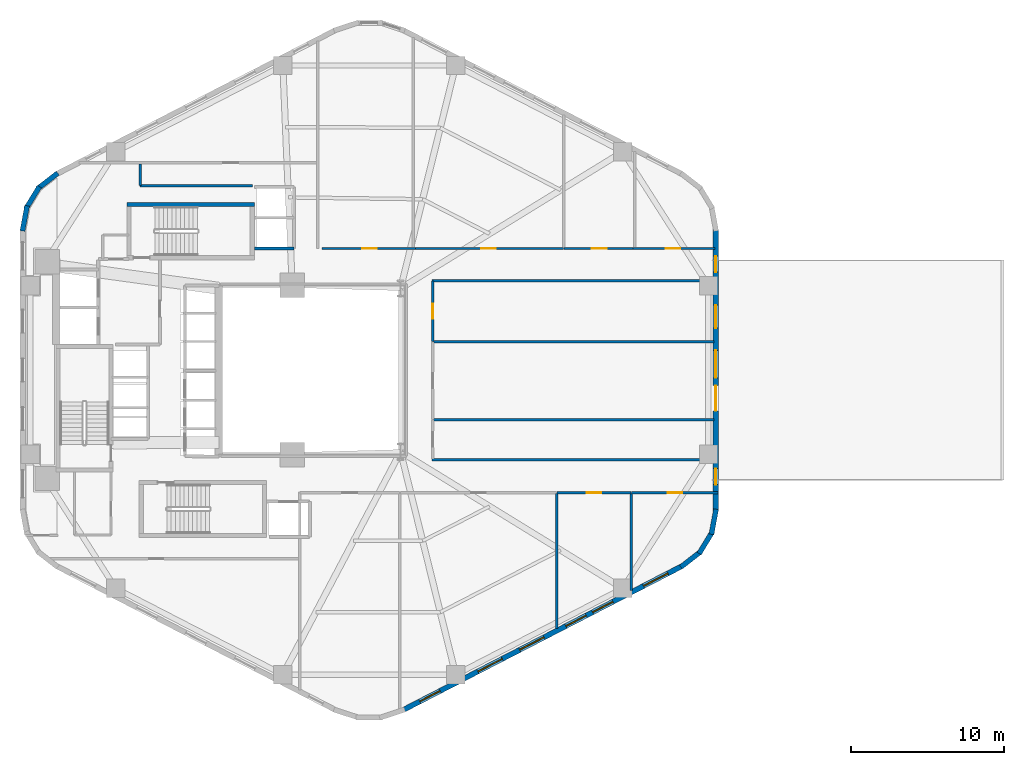
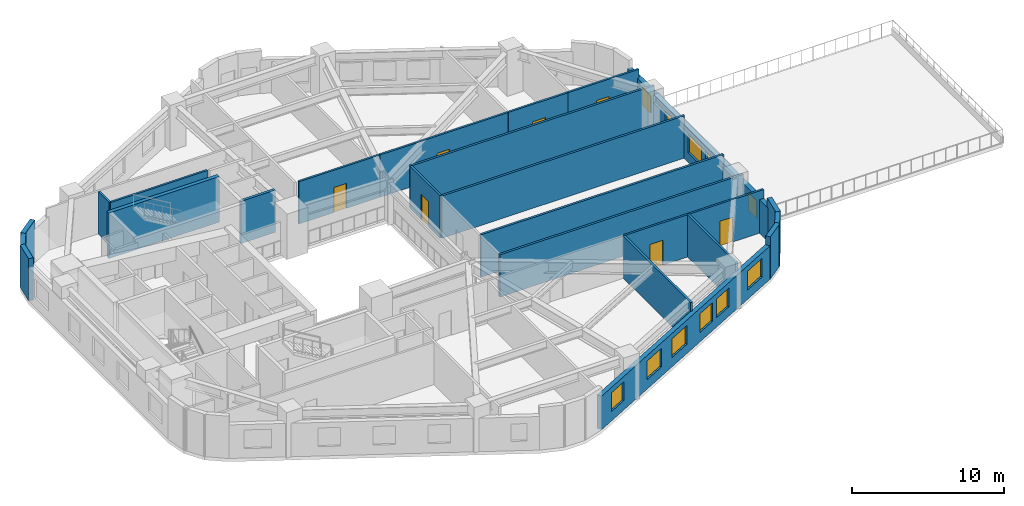
# One storey, part 4 of 8: 25 walls, 10 windows, 8 doors, 18 openings.
"""IFC4 building model written with IfcOpenShell, lengths in metres."""

from ifc_helpers import new_model, si_unit, direction, frame, frame_2d, origin, place, context, subcontext, project, spatial, rectangle, extrude, material, layer, layer_set, type_object, element, fill, save


model = new_model("IFC4")

# Units and contexts
model_context = context("Model", 3, precision=1e-05, world=origin(), true_north=direction((0.0, 1.0)))
body_context = subcontext(model_context, "Body", "Model", "MODEL_VIEW")
ifc_project = project(units=[si_unit("LENGTHUNIT", "METRE"), si_unit("AREAUNIT", "SQUARE_METRE"), si_unit("VOLUMEUNIT", "CUBIC_METRE"), si_unit("PLANEANGLEUNIT", "RADIAN"), si_unit("MASSUNIT", "GRAM", prefix="KILO"), si_unit("THERMODYNAMICTEMPERATUREUNIT", "KELVIN"), si_unit("POWERUNIT", "WATT")], contexts=[model_context])

# Site, building, storey
site_placement = place(None, origin())
site = spatial("IfcSite", under=ifc_project, at=site_placement, CompositionType="ELEMENT")
building_placement = place(site_placement, origin())
building = spatial("IfcBuilding", under=site, at=building_placement, Name="Skarre Station Tower", CompositionType="ELEMENT")
storey_placement = place(building_placement, frame((0.0, 0.0, 63.5)))
storey = spatial("IfcBuildingStorey", under=building, at=storey_placement, Name="L16", CompositionType="ELEMENT", Elevation=63.5)

# Wall, opening, door
ifc_material_1 = material(Name="Acoustic Steel-Stud Gypsum Partition", Category="steel")
ifc_layer_1 = layer(ifc_material_1, 0.14990234375, Name="Acoustic Steel-Stud Gypsum Partition")
ifc_layer_set_1 = layer_set([ifc_layer_1], Name="Acoustic Steel-Stud Gypsum Partition")
wall_type_1 = type_object("IfcWallType", Name="Fire-Rated Corridor Acoustic Partition 150", PredefinedType="PARTITIONING", material=ifc_layer_set_1)
wall_1_placement = place(storey_placement, frame((40.412109375, 31.9599609375, 0.0), z_axis=(0.0, 0.0, 1.0), x_axis=(-1.0, 0.0, 0.0)))
wall_1 = element("IfcWall", 1, at=wall_1_placement, inside=storey, type_object=wall_type_1, Name="L16 Interior Partition WL-PT-L16-NW1-CW", PredefinedType="PARTITIONING", context=body_context, shape_type="SweptSolid", body=[
    extrude(rectangle(XDim=6.1220703125, YDim=0.14990234375, at=frame_2d((3.06103515625, 0.0))), origin(), (0.0, 0.0, 1.0), 3.389892578125),
])
opening_1_placement = place(wall_1_placement, frame((2.52392578125, 0.0, 0.0)))
opening_1 = element("IfcOpeningElement", 2, at=opening_1_placement, cuts=wall_1, Name="Opening DR-FD60", PredefinedType="OPENING", context=body_context, shape_type="SweptSolid", body=[
    extrude(rectangle(XDim=0.9599609375, YDim=2.0, at=frame_2d((0.47998046875, 1.0))), frame((0.0, 0.0849609375, 0.0), z_axis=(0.0, -1.0, 0.0), x_axis=(1.0, 0.0, 0.0)), (0.0, 0.0, 1.0), 0.169921875),
])
ifc_material_2 = material(Name="Nordic White-Oak Veneer Solid-Core Fire Leaf", Category="wood")
door_type_1 = type_object("IfcDoorType", Name="Corridor Suite Entry Fire Door FD60 960x2150", OperationType="SINGLE_SWING_LEFT", PredefinedType="DOOR", material=ifc_material_2)
door_1_placement = place(opening_1_placement, origin())
door_1 = element("IfcDoor", 3, at=door_1_placement, inside=storey, type_object=door_type_1, Name="L16 NW1 Entry Door", OperationType="SINGLE_SWING_LEFT", OverallHeight=2.0, OverallWidth=0.9599609375, PredefinedType="DOOR", context=body_context, shape_type="SweptSolid", body=[
    extrude(rectangle(XDim=0.9599609375, YDim=2.0, at=frame_2d((0.47998046875, 1.0))), frame((0.0, 0.02490234375, 0.0), z_axis=(0.0, -1.0, 0.0), x_axis=(1.0, 0.0, 0.0)), (0.0, 0.0, 1.0), 0.050048828125),
])
fill(opening_1, door_1)

wall_2_placement = place(storey_placement, frame((50.111083984375, 31.9599609375, 0.0), z_axis=(0.0, 0.0, 1.0), x_axis=(-1.0, 0.0, 0.0)))
wall_2 = element("IfcWall", 4, at=wall_2_placement, inside=storey, type_object=wall_type_1, Name="L16 Interior Partition WL-PT-L16-NW2-CW", PredefinedType="PARTITIONING", context=body_context, shape_type="SweptSolid", body=[
    extrude(rectangle(XDim=9.68896484375, YDim=0.14990234375, at=frame_2d((4.844482421875, 0.0))), origin(), (0.0, 0.0, 1.0), 3.389892578125),
])
opening_2_placement = place(wall_2_placement, frame((4.422119140625, 0.0, 0.0)))
opening_2 = element("IfcOpeningElement", 5, at=opening_2_placement, cuts=wall_2, Name="Opening DR-FD60", PredefinedType="OPENING", context=body_context, shape_type="SweptSolid", body=[
    extrude(rectangle(XDim=0.9599609375, YDim=2.0, at=frame_2d((0.47998046875, 1.0))), frame((0.0, 0.0849609375, 0.0), z_axis=(0.0, -1.0, 0.0), x_axis=(1.0, 0.0, 0.0)), (0.0, 0.0, 1.0), 0.169921875),
])
door_2_placement = place(opening_2_placement, origin())
door_2 = element("IfcDoor", 6, at=door_2_placement, inside=storey, type_object=door_type_1, Name="L16 NW2 Entry Door", OperationType="SINGLE_SWING_LEFT", OverallHeight=2.0, OverallWidth=0.9599609375, PredefinedType="DOOR", context=body_context, shape_type="SweptSolid", body=[
    extrude(rectangle(XDim=0.9599609375, YDim=2.0, at=frame_2d((0.47998046875, 1.0))), frame((0.0, 0.02490234375, 0.0), z_axis=(0.0, -1.0, 0.0), x_axis=(1.0, 0.0, 0.0)), (0.0, 0.0, 1.0), 0.050048828125),
])
fill(opening_2, door_2)

wall_3_placement = place(storey_placement, frame((54.656005859375, 31.9599609375, 0.0), z_axis=(0.0, 0.0, 1.0), x_axis=(-1.0, 0.0, 0.0)))
wall_3 = element("IfcWall", 7, at=wall_3_placement, inside=storey, type_object=wall_type_1, Name="L16 Interior Partition WL-PT-L16-NW3-CW", PredefinedType="PARTITIONING", context=body_context, shape_type="SweptSolid", body=[
    extrude(rectangle(XDim=4.512939453125, YDim=0.14990234375, at=frame_2d((2.25634765625, 0.0))), origin(), (0.0, 0.0, 1.0), 3.389892578125),
])
opening_3_placement = place(wall_3_placement, frame((1.719970703125, 0.0, 0.0)))
opening_3 = element("IfcOpeningElement", 8, at=opening_3_placement, cuts=wall_3, Name="Opening DR-FD60", PredefinedType="OPENING", context=body_context, shape_type="SweptSolid", body=[
    extrude(rectangle(XDim=0.9599609375, YDim=2.0, at=frame_2d((0.47998046875, 1.0))), frame((0.0, 0.0849609375, 0.0), z_axis=(0.0, -1.0, 0.0), x_axis=(1.0, 0.0, 0.0)), (0.0, 0.0, 1.0), 0.169921875),
])
door_3_placement = place(opening_3_placement, origin())
door_3 = element("IfcDoor", 9, at=door_3_placement, inside=storey, type_object=door_type_1, Name="L16 NW3 Entry Door", OperationType="SINGLE_SWING_LEFT", OverallHeight=2.0, OverallWidth=0.9599609375, PredefinedType="DOOR", context=body_context, shape_type="SweptSolid", body=[
    extrude(rectangle(XDim=0.9599609375, YDim=2.0, at=frame_2d((0.47998046875, 1.0))), frame((0.0, 0.02490234375, 0.0), z_axis=(0.0, -1.0, 0.0), x_axis=(1.0, 0.0, 0.0)), (0.0, 0.0, 1.0), 0.050048828125),
])
fill(opening_3, door_3)

wall_4_placement = place(storey_placement, frame((60.031982421875, 31.9599609375, 0.0), z_axis=(0.0, 0.0, 1.0), x_axis=(-1.0, 0.0, 0.0)))
wall_4 = element("IfcWall", 10, at=wall_4_placement, inside=storey, type_object=wall_type_1, Name="L16 Interior Partition WL-PT-L16-NW4-CW", PredefinedType="PARTITIONING", context=body_context, shape_type="SweptSolid", body=[
    extrude(rectangle(XDim=5.365966796875, YDim=0.14990234375, at=frame_2d((2.68310546875, 0.0))), origin(), (0.0, 0.0, 1.0), 3.389892578125),
])
opening_4_placement = place(wall_4_placement, frame((2.260009765625, 0.0, 0.0)))
opening_4 = element("IfcOpeningElement", 11, at=opening_4_placement, cuts=wall_4, Name="Opening DR-FD60", PredefinedType="OPENING", context=body_context, shape_type="SweptSolid", body=[
    extrude(rectangle(XDim=0.9599609375, YDim=2.0, at=frame_2d((0.47998046875, 1.0))), frame((0.0, 0.0849609375, 0.0), z_axis=(0.0, -1.0, 0.0), x_axis=(1.0, 0.0, 0.0)), (0.0, 0.0, 1.0), 0.169921875),
])
door_4_placement = place(opening_4_placement, origin())
door_4 = element("IfcDoor", 12, at=door_4_placement, inside=storey, type_object=door_type_1, Name="L16 NW4 Entry Door", OperationType="SINGLE_SWING_LEFT", OverallHeight=2.0, OverallWidth=0.9599609375, PredefinedType="DOOR", context=body_context, shape_type="SweptSolid", body=[
    extrude(rectangle(XDim=0.9599609375, YDim=2.0, at=frame_2d((0.47998046875, 1.0))), frame((0.0, 0.02490234375, 0.0), z_axis=(0.0, -1.0, 0.0), x_axis=(1.0, 0.0, 0.0)), (0.0, 0.0, 1.0), 0.050048828125),
])
fill(opening_4, door_4)

wall_5_placement = place(storey_placement, frame((41.56005859375, 25.8798828125, 0.0), z_axis=(0.0, 0.0, 1.0), x_axis=(0.0, 1.0, 0.0)))
wall_5 = element("IfcWall", 13, at=wall_5_placement, inside=storey, type_object=wall_type_1, Name="L16 Interior Partition WL-PT-L16-EW3-CW", PredefinedType="PARTITIONING", context=body_context, shape_type="SweptSolid", body=[
    extrude(rectangle(XDim=3.940185546875, YDim=0.14990234375, at=frame_2d((1.97021484375, 0.0))), origin(), (0.0, 0.0, 1.0), 3.389892578125),
])
opening_5_placement = place(wall_5_placement, frame((1.489990234375, 0.0, 0.0)))
opening_5 = element("IfcOpeningElement", 14, at=opening_5_placement, cuts=wall_5, Name="Opening DR-FD60", PredefinedType="OPENING", context=body_context, shape_type="SweptSolid", body=[
    extrude(rectangle(XDim=0.9599609375, YDim=2.0, at=frame_2d((0.47998046875, 1.0))), frame((0.0, 0.0849609375, 0.0), z_axis=(0.0, -1.0, 0.0), x_axis=(1.0, 0.0, 0.0)), (0.0, 0.0, 1.0), 0.169921875),
])
door_5_placement = place(opening_5_placement, origin())
door_5 = element("IfcDoor", 15, at=door_5_placement, inside=storey, type_object=door_type_1, Name="L16 EW3 Entry Door", OperationType="SINGLE_SWING_LEFT", OverallHeight=2.0, OverallWidth=0.9599609375, PredefinedType="DOOR", context=body_context, shape_type="SweptSolid", body=[
    extrude(rectangle(XDim=0.9599609375, YDim=2.0, at=frame_2d((0.47998046875, 1.0))), frame((0.0, 0.02490234375, 0.0), z_axis=(0.0, -1.0, 0.0), x_axis=(1.0, 0.0, 0.0)), (0.0, 0.0, 1.0), 0.050048828125),
])
fill(opening_5, door_5)

wall_6_placement = place(storey_placement, frame((49.705078125, 15.9599609375, 0.0), z_axis=(0.0, 0.0, 1.0), x_axis=(1.0, 0.0, 0.0)))
wall_6 = element("IfcWall", 16, at=wall_6_placement, inside=storey, type_object=wall_type_1, Name="L16 Interior Partition WL-PT-L16-SW3-CW", PredefinedType="PARTITIONING", context=body_context, shape_type="SweptSolid", body=[
    extrude(rectangle(XDim=4.830810546875, YDim=0.14990234375, at=frame_2d((2.41552734375, 0.0))), origin(), (0.0, 0.0, 1.0), 3.389892578125),
])
opening_6_placement = place(wall_6_placement, frame((1.93603515625, 0.0, 0.0)))
opening_6 = element("IfcOpeningElement", 17, at=opening_6_placement, cuts=wall_6, Name="Opening DR-FD60", PredefinedType="OPENING", context=body_context, shape_type="SweptSolid", body=[
    extrude(rectangle(XDim=0.9599609375, YDim=2.0, at=frame_2d((0.47998046875, 1.0))), frame((0.0, 0.0849609375, 0.0), z_axis=(0.0, -1.0, 0.0), x_axis=(1.0, 0.0, 0.0)), (0.0, 0.0, 1.0), 0.169921875),
])
door_6_placement = place(opening_6_placement, origin())
door_6 = element("IfcDoor", 18, at=door_6_placement, inside=storey, type_object=door_type_1, Name="L16 SW3 Entry Door", OperationType="SINGLE_SWING_LEFT", OverallHeight=2.0, OverallWidth=0.9599609375, PredefinedType="DOOR", context=body_context, shape_type="SweptSolid", body=[
    extrude(rectangle(XDim=0.9599609375, YDim=2.0, at=frame_2d((0.47998046875, 1.0))), frame((0.0, 0.02490234375, 0.0), z_axis=(0.0, -1.0, 0.0), x_axis=(1.0, 0.0, 0.0)), (0.0, 0.0, 1.0), 0.050048828125),
])
fill(opening_6, door_6)

wall_7_placement = place(storey_placement, frame((54.572021484375, 15.9599609375, 0.0), z_axis=(0.0, 0.0, 1.0), x_axis=(1.0, 0.0, 0.0)))
wall_7 = element("IfcWall", 19, at=wall_7_placement, inside=storey, type_object=wall_type_1, Name="L16 Interior Partition WL-PT-L16-SW4-CW", PredefinedType="PARTITIONING", context=body_context, shape_type="SweptSolid", body=[
    extrude(rectangle(XDim=5.680908203125, YDim=0.14990234375, at=frame_2d((2.84033203125, 0.0))), origin(), (0.0, 0.0, 1.0), 3.389892578125),
])
opening_7_placement = place(wall_7_placement, frame((2.3740234375, 0.0, 0.0)))
opening_7 = element("IfcOpeningElement", 20, at=opening_7_placement, cuts=wall_7, Name="Opening DR-FD60", PredefinedType="OPENING", context=body_context, shape_type="SweptSolid", body=[
    extrude(rectangle(XDim=0.9599609375, YDim=2.0, at=frame_2d((0.47998046875, 1.0))), frame((0.0, 0.0849609375, 0.0), z_axis=(0.0, -1.0, 0.0), x_axis=(1.0, 0.0, 0.0)), (0.0, 0.0, 1.0), 0.169921875),
])
door_7_placement = place(opening_7_placement, origin())
door_7 = element("IfcDoor", 21, at=door_7_placement, inside=storey, type_object=door_type_1, Name="L16 SW4 Entry Door", OperationType="SINGLE_SWING_LEFT", OverallHeight=2.0, OverallWidth=0.9599609375, PredefinedType="DOOR", context=body_context, shape_type="SweptSolid", body=[
    extrude(rectangle(XDim=0.9599609375, YDim=2.0, at=frame_2d((0.47998046875, 1.0))), frame((0.0, 0.02490234375, 0.0), z_axis=(0.0, -1.0, 0.0), x_axis=(1.0, 0.0, 0.0)), (0.0, 0.0, 1.0), 0.050048828125),
])
fill(opening_7, door_7)

# Walls
wall_8_placement = place(storey_placement, frame((29.7529296875, 36.080078125, 0.0), z_axis=(0.0, 0.0, 1.0), x_axis=(-1.0, 0.0, 0.0)))
element("IfcWall", 22, at=wall_8_placement, inside=storey, type_object=wall_type_1, Name="L16 Interior Partition WL-PT-L16-CSEAL-1", PredefinedType="PARTITIONING", context=body_context, shape_type="SweptSolid", body=[
    extrude(rectangle(XDim=7.35302734375, YDim=0.14990234375, at=frame_2d((3.676513671875, 0.0))), origin(), (0.0, 0.0, 1.0), 3.389892578125),
])
wall_9_placement = place(storey_placement, frame((22.39990234375, 36.080078125, 0.0), z_axis=(0.0, 0.0, 1.0), x_axis=(0.0, 1.0, 0.0)))
element("IfcWall", 23, at=wall_9_placement, inside=storey, type_object=wall_type_1, Name="L16 Interior Partition WL-PT-L16-CSEAL-2", PredefinedType="PARTITIONING", context=body_context, shape_type="SweptSolid", body=[
    extrude(rectangle(XDim=1.429931640625, YDim=0.14990234375, at=frame_2d((0.71484375, 0.0))), origin(), (0.0, 0.0, 1.0), 3.389892578125),
])

# Wall, openings, windows
ifc_material_3 = material(Name="Precast concrete C45/55", Category="concrete")
ifc_layer_2 = layer(ifc_material_3, 0.340087890625, Name="Precast concrete C45/55")
ifc_layer_set_2 = layer_set([ifc_layer_2], Name="Precast concrete C45/55")
wall_type_2 = type_object("IfcWallType", Name="Nordic Honed Precast Facet Wall 340", PredefinedType="STANDARD", material=ifc_layer_set_2)
wall_10_placement = place(storey_placement, frame((57.8759765625, 11.158935546875, 0.0), z_axis=(0.0, 0.0, 1.0), x_axis=(-0.888634413993, -0.458616264721, 0.0)))
wall_10 = element("IfcWall", 24, at=wall_10_placement, inside=storey, type_object=wall_type_2, Name="L16 Facet 4 Nordic Precast Masonry Wall", PredefinedType="STANDARD", context=body_context, shape_type="SweptSolid", body=[
    extrude(rectangle(XDim=20.53125, YDim=0.340087890625, at=frame_2d((10.265625, 0.0))), origin(), (0.0, 0.0, 1.0), 2.68408203125),
])
opening_8_placement = place(wall_10_placement, frame((1.031982421875, 0.0, 0.75)))
opening_8 = element("IfcOpeningElement", 25, at=opening_8_placement, cuts=wall_10, Name="Opening WN-Z1A", PredefinedType="OPENING", context=body_context, shape_type="SweptSolid", body=[
    extrude(rectangle(XDim=1.800048828125, YDim=1.5, at=frame_2d((0.89990234375, 0.75))), frame((0.0, 0.179931640625, 0.0), z_axis=(0.0, -1.0, 0.0), x_axis=(1.0, 0.0, 0.0)), (0.0, 0.0, 1.0), 0.360107421875),
])
opening_9_placement = place(wall_10_placement, frame((5.08203125, 0.0, 0.75)))
opening_9 = element("IfcOpeningElement", 26, at=opening_9_placement, cuts=wall_10, Name="Opening WN-Z1B", PredefinedType="OPENING", context=body_context, shape_type="SweptSolid", body=[
    extrude(rectangle(XDim=1.5, YDim=1.5, at=frame_2d((0.75, 0.75))), frame((0.0, 0.179931640625, 0.0), z_axis=(0.0, -1.0, 0.0), x_axis=(1.0, 0.0, 0.0)), (0.0, 0.0, 1.0), 0.360107421875),
])
opening_10_placement = place(wall_10_placement, frame((7.054931640625, 0.0, 0.75)))
opening_10 = element("IfcOpeningElement", 27, at=opening_10_placement, cuts=wall_10, Name="Opening WN-Z1B", PredefinedType="OPENING", context=body_context, shape_type="SweptSolid", body=[
    extrude(rectangle(XDim=1.5, YDim=1.5, at=frame_2d((0.75, 0.75))), frame((0.0, 0.179931640625, 0.0), z_axis=(0.0, -1.0, 0.0), x_axis=(1.0, 0.0, 0.0)), (0.0, 0.0, 1.0), 0.360107421875),
])
opening_11_placement = place(wall_10_placement, frame((10.157958984375, 0.0, 0.75)))
opening_11 = element("IfcOpeningElement", 28, at=opening_11_placement, cuts=wall_10, Name="Opening WN-Z1A", PredefinedType="OPENING", context=body_context, shape_type="SweptSolid", body=[
    extrude(rectangle(XDim=1.800048828125, YDim=1.5, at=frame_2d((0.89990234375, 0.75))), frame((0.0, 0.179931640625, 0.0), z_axis=(0.0, -1.0, 0.0), x_axis=(1.0, 0.0, 0.0)), (0.0, 0.0, 1.0), 0.360107421875),
])
opening_12_placement = place(wall_10_placement, frame((13.242919921875, 0.0, 0.75)))
opening_12 = element("IfcOpeningElement", 29, at=opening_12_placement, cuts=wall_10, Name="Opening WN-Z1A", PredefinedType="OPENING", context=body_context, shape_type="SweptSolid", body=[
    extrude(rectangle(XDim=1.800048828125, YDim=1.5, at=frame_2d((0.89990234375, 0.75))), frame((0.0, 0.179931640625, 0.0), z_axis=(0.0, -1.0, 0.0), x_axis=(1.0, 0.0, 0.0)), (0.0, 0.0, 1.0), 0.360107421875),
])
opening_13_placement = place(wall_10_placement, frame((17.822998046875, 0.0, 0.75)))
opening_13 = element("IfcOpeningElement", 30, at=opening_13_placement, cuts=wall_10, Name="Opening WN-Z1B", PredefinedType="OPENING", context=body_context, shape_type="SweptSolid", body=[
    extrude(rectangle(XDim=1.5, YDim=1.5, at=frame_2d((0.75, 0.75))), frame((0.0, 0.179931640625, 0.0), z_axis=(0.0, -1.0, 0.0), x_axis=(1.0, 0.0, 0.0)), (0.0, 0.0, 1.0), 0.360107421875),
])
ifc_material_4 = material(Name="Low-Iron Triple Glazing with Bronze Anodized Frame", Category="glass")
window_type_1 = type_object("IfcWindowType", Name="Nordic Punched Triple-Glazed Window 1500x1500", PartitioningType="SINGLE_PANEL", PredefinedType="WINDOW", material=ifc_material_4)
window_1_placement = place(opening_9_placement, origin())
window_1 = element("IfcWindow", 31, at=window_1_placement, inside=storey, type_object=window_type_1, Name="L16 Facade Window WL-FAC-L16-F4-2", OverallHeight=1.5, OverallWidth=1.5, PartitioningType="SINGLE_PANEL", PredefinedType="WINDOW", context=body_context, shape_type="SweptSolid", body=[
    extrude(rectangle(XDim=1.5, YDim=1.5, at=frame_2d((0.75, 0.75))), frame((0.0, 0.030029296875, 0.0), z_axis=(0.0, -1.0, 0.0), x_axis=(1.0, 0.0, 0.0)), (0.0, 0.0, 1.0), 0.06005859375),
])
fill(opening_9, window_1)
window_2_placement = place(opening_10_placement, origin())
window_2 = element("IfcWindow", 32, at=window_2_placement, inside=storey, type_object=window_type_1, Name="L16 Facade Window WL-FAC-L16-F4-3", OverallHeight=1.5, OverallWidth=1.5, PartitioningType="SINGLE_PANEL", PredefinedType="WINDOW", context=body_context, shape_type="SweptSolid", body=[
    extrude(rectangle(XDim=1.5, YDim=1.5, at=frame_2d((0.75, 0.75))), frame((0.0, 0.030029296875, 0.0), z_axis=(0.0, -1.0, 0.0), x_axis=(1.0, 0.0, 0.0)), (0.0, 0.0, 1.0), 0.06005859375),
])
fill(opening_10, window_2)
window_3_placement = place(opening_13_placement, origin())
window_3 = element("IfcWindow", 33, at=window_3_placement, inside=storey, type_object=window_type_1, Name="L16 Facade Window WL-FAC-L16-F4-6", OverallHeight=1.5, OverallWidth=1.5, PartitioningType="SINGLE_PANEL", PredefinedType="WINDOW", context=body_context, shape_type="SweptSolid", body=[
    extrude(rectangle(XDim=1.5, YDim=1.5, at=frame_2d((0.75, 0.75))), frame((0.0, 0.030029296875, 0.0), z_axis=(0.0, -1.0, 0.0), x_axis=(1.0, 0.0, 0.0)), (0.0, 0.0, 1.0), 0.06005859375),
])
fill(opening_13, window_3)
window_type_2 = type_object("IfcWindowType", Name="Nordic Punched Triple-Glazed Window 1800x1500", PartitioningType="SINGLE_PANEL", PredefinedType="WINDOW", material=ifc_material_4)
window_4_placement = place(opening_8_placement, origin())
window_4 = element("IfcWindow", 34, at=window_4_placement, inside=storey, type_object=window_type_2, Name="L16 Facade Window WL-FAC-L16-F4-1", OverallHeight=1.5, OverallWidth=1.800048828125, PartitioningType="SINGLE_PANEL", PredefinedType="WINDOW", context=body_context, shape_type="SweptSolid", body=[
    extrude(rectangle(XDim=1.800048828125, YDim=1.5, at=frame_2d((0.89990234375, 0.75))), frame((0.0, 0.030029296875, 0.0), z_axis=(0.0, -1.0, 0.0), x_axis=(1.0, 0.0, 0.0)), (0.0, 0.0, 1.0), 0.06005859375),
])
fill(opening_8, window_4)
window_5_placement = place(opening_11_placement, origin())
window_5 = element("IfcWindow", 35, at=window_5_placement, inside=storey, type_object=window_type_2, Name="L16 Facade Window WL-FAC-L16-F4-4", OverallHeight=1.5, OverallWidth=1.800048828125, PartitioningType="SINGLE_PANEL", PredefinedType="WINDOW", context=body_context, shape_type="SweptSolid", body=[
    extrude(rectangle(XDim=1.800048828125, YDim=1.5, at=frame_2d((0.89990234375, 0.75))), frame((0.0, 0.030029296875, 0.0), z_axis=(0.0, -1.0, 0.0), x_axis=(1.0, 0.0, 0.0)), (0.0, 0.0, 1.0), 0.06005859375),
])
fill(opening_11, window_5)
window_6_placement = place(opening_12_placement, origin())
window_6 = element("IfcWindow", 36, at=window_6_placement, inside=storey, type_object=window_type_2, Name="L16 Facade Window WL-FAC-L16-F4-5", OverallHeight=1.5, OverallWidth=1.800048828125, PartitioningType="SINGLE_PANEL", PredefinedType="WINDOW", context=body_context, shape_type="SweptSolid", body=[
    extrude(rectangle(XDim=1.800048828125, YDim=1.5, at=frame_2d((0.89990234375, 0.75))), frame((0.0, 0.030029296875, 0.0), z_axis=(0.0, -1.0, 0.0), x_axis=(1.0, 0.0, 0.0)), (0.0, 0.0, 1.0), 0.06005859375),
])
fill(opening_12, window_6)

# Wall, openings, windows, door
wall_11_placement = place(storey_placement, frame((60.093017578125, 33.201904296875, 0.0), z_axis=(0.0, 0.0, 1.0), x_axis=(0.0, -1.0, 0.0)))
wall_11 = element("IfcWall", 37, at=wall_11_placement, inside=storey, type_object=wall_type_2, Name="L16 Facet 5 Nordic Precast Masonry Wall", PredefinedType="STANDARD", context=body_context, shape_type="SweptSolid", body=[
    extrude(rectangle(XDim=18.40380859375, YDim=0.340087890625, at=frame_2d((9.201904296875, 0.0))), origin(), (0.0, 0.0, 1.0), 2.68408203125),
])
opening_14_placement = place(wall_11_placement, frame((10.22705078125, 0.0, 0.0)))
opening_14 = element("IfcOpeningElement", 38, at=opening_14_placement, cuts=wall_11, Name="Opening DR-SGD165", PredefinedType="OPENING", context=body_context, shape_type="SweptSolid", body=[
    extrude(rectangle(XDim=1.64990234375, YDim=2.25, at=frame_2d((0.824951171875, 1.125))), frame((0.0, 0.179931640625, 0.0), z_axis=(0.0, -1.0, 0.0), x_axis=(1.0, 0.0, 0.0)), (0.0, 0.0, 1.0), 0.360107421875),
])
opening_15_placement = place(wall_11_placement, frame((1.743896484375, 0.0, 0.75)))
opening_15 = element("IfcOpeningElement", 39, at=opening_15_placement, cuts=wall_11, Name="Opening WN-SLT", PredefinedType="OPENING", context=body_context, shape_type="SweptSolid", body=[
    extrude(rectangle(XDim=1.050048828125, YDim=1.39990234375, at=frame_2d((0.52490234375, 0.699951171875))), frame((0.0, 0.179931640625, 0.0), z_axis=(0.0, -1.0, 0.0), x_axis=(1.0, 0.0, 0.0)), (0.0, 0.0, 1.0), 0.360107421875),
])
opening_16_placement = place(wall_11_placement, frame((4.948974609375, 0.0, 0.75)))
opening_16 = element("IfcOpeningElement", 40, at=opening_16_placement, cuts=wall_11, Name="Opening WN-Z1B", PredefinedType="OPENING", context=body_context, shape_type="SweptSolid", body=[
    extrude(rectangle(XDim=1.5, YDim=1.5, at=frame_2d((0.75, 0.75))), frame((0.0, 0.179931640625, 0.0), z_axis=(0.0, -1.0, 0.0), x_axis=(1.0, 0.0, 0.0)), (0.0, 0.0, 1.0), 0.360107421875),
])
opening_17_placement = place(wall_11_placement, frame((7.905029296875, 0.0, 0.75)))
opening_17 = element("IfcOpeningElement", 41, at=opening_17_placement, cuts=wall_11, Name="Opening WN-Z1A", PredefinedType="OPENING", context=body_context, shape_type="SweptSolid", body=[
    extrude(rectangle(XDim=1.800048828125, YDim=1.5, at=frame_2d((0.89990234375, 0.75))), frame((0.0, 0.179931640625, 0.0), z_axis=(0.0, -1.0, 0.0), x_axis=(1.0, 0.0, 0.0)), (0.0, 0.0, 1.0), 0.360107421875),
])
opening_18_placement = place(wall_11_placement, frame((15.64990234375, 0.0, 0.75)))
opening_18 = element("IfcOpeningElement", 42, at=opening_18_placement, cuts=wall_11, Name="Opening WN-SLT", PredefinedType="OPENING", context=body_context, shape_type="SweptSolid", body=[
    extrude(rectangle(XDim=1.050048828125, YDim=1.39990234375, at=frame_2d((0.52490234375, 0.699951171875))), frame((0.0, 0.179931640625, 0.0), z_axis=(0.0, -1.0, 0.0), x_axis=(1.0, 0.0, 0.0)), (0.0, 0.0, 1.0), 0.360107421875),
])
window_type_3 = type_object("IfcWindowType", Name="Nordic Corner Slot Window 1050x1400", PartitioningType="SINGLE_PANEL", PredefinedType="WINDOW", material=ifc_material_4)
window_7_placement = place(opening_15_placement, origin())
window_7 = element("IfcWindow", 43, at=window_7_placement, inside=storey, type_object=window_type_3, Name="L16 Facade Window WL-FAC-L16-F5-1", OverallHeight=1.39990234375, OverallWidth=1.050048828125, PartitioningType="SINGLE_PANEL", PredefinedType="WINDOW", context=body_context, shape_type="SweptSolid", body=[
    extrude(rectangle(XDim=1.050048828125, YDim=1.39990234375, at=frame_2d((0.52490234375, 0.699951171875))), frame((0.0, 0.030029296875, 0.0), z_axis=(0.0, -1.0, 0.0), x_axis=(1.0, 0.0, 0.0)), (0.0, 0.0, 1.0), 0.06005859375),
])
fill(opening_15, window_7)
window_8_placement = place(opening_18_placement, origin())
window_8 = element("IfcWindow", 44, at=window_8_placement, inside=storey, type_object=window_type_3, Name="L16 Facade Window WL-FAC-L16-F5-4", OverallHeight=1.39990234375, OverallWidth=1.050048828125, PartitioningType="SINGLE_PANEL", PredefinedType="WINDOW", context=body_context, shape_type="SweptSolid", body=[
    extrude(rectangle(XDim=1.050048828125, YDim=1.39990234375, at=frame_2d((0.52490234375, 0.699951171875))), frame((0.0, 0.030029296875, 0.0), z_axis=(0.0, -1.0, 0.0), x_axis=(1.0, 0.0, 0.0)), (0.0, 0.0, 1.0), 0.06005859375),
])
fill(opening_18, window_8)
window_9_placement = place(opening_16_placement, origin())
window_9 = element("IfcWindow", 45, at=window_9_placement, inside=storey, type_object=window_type_1, Name="L16 Facade Window WL-FAC-L16-F5-2", OverallHeight=1.5, OverallWidth=1.5, PartitioningType="SINGLE_PANEL", PredefinedType="WINDOW", context=body_context, shape_type="SweptSolid", body=[
    extrude(rectangle(XDim=1.5, YDim=1.5, at=frame_2d((0.75, 0.75))), frame((0.0, 0.030029296875, 0.0), z_axis=(0.0, -1.0, 0.0), x_axis=(1.0, 0.0, 0.0)), (0.0, 0.0, 1.0), 0.06005859375),
])
fill(opening_16, window_9)
window_10_placement = place(opening_17_placement, origin())
window_10 = element("IfcWindow", 46, at=window_10_placement, inside=storey, type_object=window_type_2, Name="L16 Facade Window WL-FAC-L16-F5-3", OverallHeight=1.5, OverallWidth=1.800048828125, PartitioningType="SINGLE_PANEL", PredefinedType="WINDOW", context=body_context, shape_type="SweptSolid", body=[
    extrude(rectangle(XDim=1.800048828125, YDim=1.5, at=frame_2d((0.89990234375, 0.75))), frame((0.0, 0.030029296875, 0.0), z_axis=(0.0, -1.0, 0.0), x_axis=(1.0, 0.0, 0.0)), (0.0, 0.0, 1.0), 0.06005859375),
])
fill(opening_17, window_10)
ifc_material_5 = material(Name="Thermally Broken Aluminium & Triple Glazing", Category="aluminium")
door_type_2 = type_object("IfcDoorType", Name="Sky-Garden Double Glazed Terrace Door 1650x2250", OperationType="DOUBLE_DOOR_SINGLE_SWING", PredefinedType="DOOR", material=ifc_material_5)
door_8_placement = place(opening_14_placement, origin())
door_8 = element("IfcDoor", 47, at=door_8_placement, inside=storey, type_object=door_type_2, Name="L16 SB-1 Roof Terrace Access Door", OperationType="SINGLE_SWING_LEFT", OverallHeight=2.25, OverallWidth=1.64990234375, PredefinedType="DOOR", context=body_context, shape_type="SweptSolid", body=[
    extrude(rectangle(XDim=1.64990234375, YDim=2.25, at=frame_2d((0.824951171875, 1.125))), frame((0.0, 0.02490234375, 0.0), z_axis=(0.0, -1.0, 0.0), x_axis=(1.0, 0.0, 0.0)), (0.0, 0.0, 1.0), 0.050048828125),
])
fill(opening_14, door_8)

# Walls
ifc_layer_3 = layer(ifc_material_3, 0.330078125, Name="Precast concrete C45/55")
ifc_layer_set_3 = layer_set([ifc_layer_3], Name="Precast concrete C45/55")
wall_type_3 = type_object("IfcWallType", Name="Nordic Rounded Corner Precast Wall 330", PredefinedType="STANDARD", material=ifc_layer_set_3)
wall_12_placement = place(storey_placement, frame((14.68701171875, 33.10791015625, 0.0), z_axis=(0.0, 0.0, 1.0), x_axis=(0.181714143354, 0.983351397063, 0.0)))
element("IfcWall", 48, at=wall_12_placement, inside=storey, type_object=wall_type_3, Name="L16 Rounded Corner Precast Wall F2-1", PredefinedType="STANDARD", context=body_context, shape_type="SweptSolid", body=[
    extrude(rectangle(XDim=1.677978515625, YDim=0.330078125, at=frame_2d((0.8388671875, 0.0))), origin(), (0.0, 0.0, 1.0), 3.389892578125),
])
wall_13_placement = place(storey_placement, frame((14.925048828125, 34.5830078125, 0.0), z_axis=(0.0, 0.0, 1.0), x_axis=(0.520584129191, 0.853810379671, 0.0)))
element("IfcWall", 49, at=wall_13_placement, inside=storey, type_object=wall_type_3, Name="L16 Rounded Corner Precast Wall F2-2", PredefinedType="STANDARD", context=body_context, shape_type="SweptSolid", body=[
    extrude(rectangle(XDim=1.677001953125, YDim=0.330078125, at=frame_2d((0.83837890625, 0.0))), origin(), (0.0, 0.0, 1.0), 3.389892578125),
])
wall_14_placement = place(storey_placement, frame((15.673095703125, 35.875, 0.0), z_axis=(0.0, 0.0, 1.0), x_axis=(0.790691856293, 0.61221433207, 0.0)))
element("IfcWall", 50, at=wall_14_placement, inside=storey, type_object=wall_type_3, Name="L16 Rounded Corner Precast Wall F2-3", PredefinedType="STANDARD", context=body_context, shape_type="SweptSolid", body=[
    extrude(rectangle(XDim=1.67578125, YDim=0.330078125, at=frame_2d((0.837890625, 0.0))), origin(), (0.0, 0.0, 1.0), 3.389892578125),
])
wall_15_placement = place(storey_placement, frame((60.113037109375, 14.89208984375, 0.0), z_axis=(0.0, 0.0, 1.0), x_axis=(-0.181714143354, -0.983351397063, 0.0)))
element("IfcWall", 51, at=wall_15_placement, inside=storey, type_object=wall_type_3, Name="L16 Rounded Corner Precast Wall F5-1", PredefinedType="STANDARD", context=body_context, shape_type="SweptSolid", body=[
    extrude(rectangle(XDim=1.677978515625, YDim=0.330078125, at=frame_2d((0.8388671875, 0.0))), origin(), (0.0, 0.0, 1.0), 3.389892578125),
])
wall_16_placement = place(storey_placement, frame((59.875, 13.4169921875, 0.0), z_axis=(0.0, 0.0, 1.0), x_axis=(-0.520584129191, -0.853810379671, 0.0)))
element("IfcWall", 52, at=wall_16_placement, inside=storey, type_object=wall_type_3, Name="L16 Rounded Corner Precast Wall F5-2", PredefinedType="STANDARD", context=body_context, shape_type="SweptSolid", body=[
    extrude(rectangle(XDim=1.677001953125, YDim=0.330078125, at=frame_2d((0.83837890625, 0.0))), origin(), (0.0, 0.0, 1.0), 3.389892578125),
])
wall_17_placement = place(storey_placement, frame((59.126953125, 12.125, 0.0), z_axis=(0.0, 0.0, 1.0), x_axis=(-0.790691856293, -0.61221433207, 0.0)))
element("IfcWall", 53, at=wall_17_placement, inside=storey, type_object=wall_type_3, Name="L16 Rounded Corner Precast Wall F5-3", PredefinedType="STANDARD", context=body_context, shape_type="SweptSolid", body=[
    extrude(rectangle(XDim=1.67578125, YDim=0.330078125, at=frame_2d((0.837890625, 0.0))), origin(), (0.0, 0.0, 1.0), 3.389892578125),
])
ifc_material_6 = material(Name="Concrete C50/60", Category="concrete")
ifc_layer_4 = layer(ifc_material_6, 0.280029296875, Name="Concrete C50/60")
ifc_layer_set_4 = layer_set([ifc_layer_4], Name="Concrete C50/60")
wall_type_4 = type_object("IfcWallType", Name="RC Core Shear Wall 280", PredefinedType="SHEAR", material=ifc_layer_set_4)
wall_18_placement = place(storey_placement, frame((29.8798828125, 34.840087890625, 0.0), z_axis=(0.0, 0.0, 1.0), x_axis=(-1.0, 0.0, 0.0)))
element("IfcWall", 54, at=wall_18_placement, inside=storey, type_object=wall_type_4, Name="L16 Stair ST-3 North Shear Wall", PredefinedType="SHEAR", context=body_context, shape_type="SweptSolid", body=[
    extrude(rectangle(XDim=8.35986328125, YDim=0.280029296875, at=frame_2d((4.179931640625, 0.0))), origin(), (0.0, 0.0, 1.0), 3.64990234375),
])
ifc_material_7 = material(Name="Gypsum Concrete Shaft Assembly C30/37", Category="concrete")
ifc_layer_5 = layer(ifc_material_7, 0.199951171875, Name="Gypsum Concrete Shaft Assembly C30/37")
ifc_layer_set_5 = layer_set([ifc_layer_5], Name="Gypsum Concrete Shaft Assembly C30/37")
wall_type_5 = type_object("IfcWallType", Name="Shaft & Core Fire Partition 200", PredefinedType="PARTITIONING", material=ifc_layer_set_5)
wall_19_placement = place(storey_placement, frame((32.47998046875, 31.949951171875, 0.0), z_axis=(0.0, 0.0, 1.0), x_axis=(-1.0, 0.0, 0.0)))
element("IfcWall", 55, at=wall_19_placement, inside=storey, type_object=wall_type_5, Name="L16 Interior Partition WL-PT-L16-EX-S", PredefinedType="PARTITIONING", context=body_context, shape_type="SweptSolid", body=[
    extrude(rectangle(XDim=2.60009765625, YDim=0.199951171875, at=frame_2d((1.300048828125, 0.0))), origin(), (0.0, 0.0, 1.0), 3.389892578125),
])
ifc_layer_6 = layer(ifc_material_1, 0.1650390625, Name="Acoustic Steel-Stud Gypsum Partition")
ifc_layer_set_6 = layer_set([ifc_layer_6], Name="Acoustic Steel-Stud Gypsum Partition")
wall_type_6 = type_object("IfcWallType", Name="Suite Demising Acoustic Partition 165", PredefinedType="PARTITIONING", material=ifc_layer_set_6)
for number, where, z_axis, x_axis, name in (
    (56, (41.52001953125, 18.139892578125, 0.0), (0.0, 0.0, 1.0), (1.0, 0.0, 0.0), "L16 Interior Partition WL-PT-L16-EWB-S"),
    (57, (41.52001953125, 29.860107421875, 0.0), (0.0, 0.0, 1.0), (1.0, 0.0, 0.0), "L16 Interior Partition WL-PT-L16-EWB-N"),
):
    element("IfcWall", number, at=place(storey_placement, frame(where, z_axis=z_axis, x_axis=x_axis)), inside=storey, type_object=wall_type_6, Name=name, PredefinedType="PARTITIONING", context=body_context, shape_type="SweptSolid", body=[
        extrude(rectangle(XDim=18.452880859375, YDim=0.1650390625, at=frame_2d((9.2265625, 0.0))), origin(), (0.0, 0.0, 1.0), 3.389892578125),
    ])
for number, where, z_axis, x_axis, name in (
    (58, (41.590087890625, 20.740966796875, 0.0), (0.0, 0.0, 1.0), (1.0, 0.0, 0.0), "L16 Interior Partition WL-PT-L16-EW-P1"),
    (59, (41.590087890625, 25.862060546875, 0.0), (0.0, 0.0, 1.0), (1.0, 0.0, 0.0), "L16 Interior Partition WL-PT-L16-EW-P2"),
):
    element("IfcWall", number, at=place(storey_placement, frame(where, z_axis=z_axis, x_axis=x_axis)), inside=storey, type_object=wall_type_6, Name=name, PredefinedType="PARTITIONING", context=body_context, shape_type="SweptSolid", body=[
        extrude(rectangle(XDim=18.3828125, YDim=0.1650390625, at=frame_2d((9.19140625, 0.0))), origin(), (0.0, 0.0, 1.0), 3.389892578125),
    ])
wall_20_placement = place(storey_placement, frame((49.68701171875, 7.068115234375, 0.0), z_axis=(0.0, 0.0, 1.0), x_axis=(0.0, 1.0, 0.0)))
element("IfcWall", 60, at=wall_20_placement, inside=storey, type_object=wall_type_6, Name="L16 Interior Partition WL-PT-L16-SW-P2", PredefinedType="PARTITIONING", context=body_context, shape_type="SweptSolid", body=[
    extrude(rectangle(XDim=8.86181640625, YDim=0.1650390625, at=frame_2d((4.430908203125, 0.0))), origin(), (0.0, 0.0, 1.0), 3.389892578125),
])
wall_21_placement = place(storey_placement, frame((54.553955078125, 9.580078125, 0.0), z_axis=(0.0, 0.0, 1.0), x_axis=(0.0, 1.0, 0.0)))
element("IfcWall", 61, at=wall_21_placement, inside=storey, type_object=wall_type_6, Name="L16 Interior Partition WL-PT-L16-SW-P3", PredefinedType="PARTITIONING", context=body_context, shape_type="SweptSolid", body=[
    extrude(rectangle(XDim=6.349853515625, YDim=0.1650390625, at=frame_2d((3.1748046875, 0.0))), origin(), (0.0, 0.0, 1.0), 3.389892578125),
])

save(model, "model.ifc")
